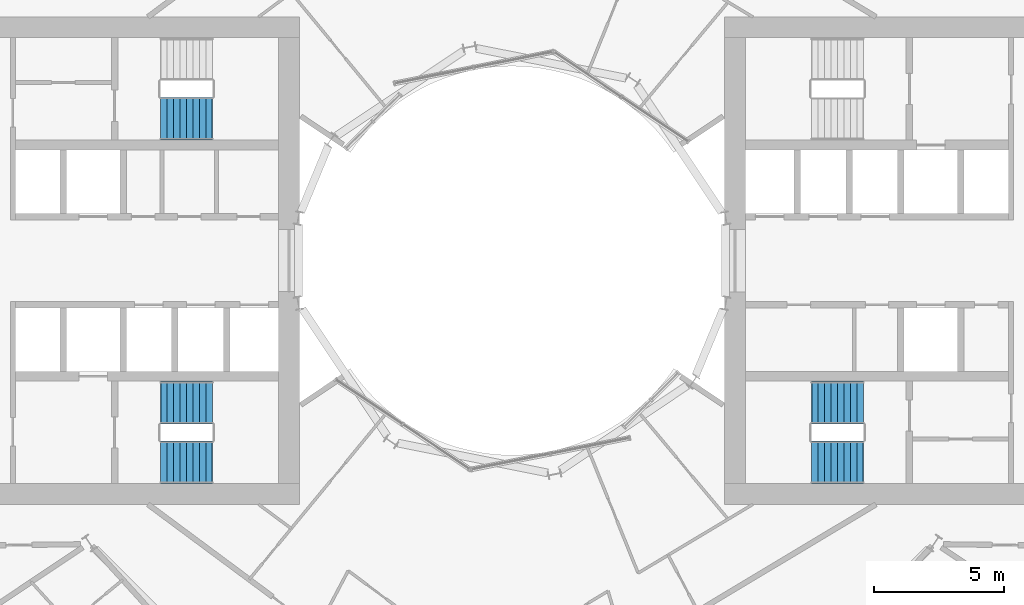
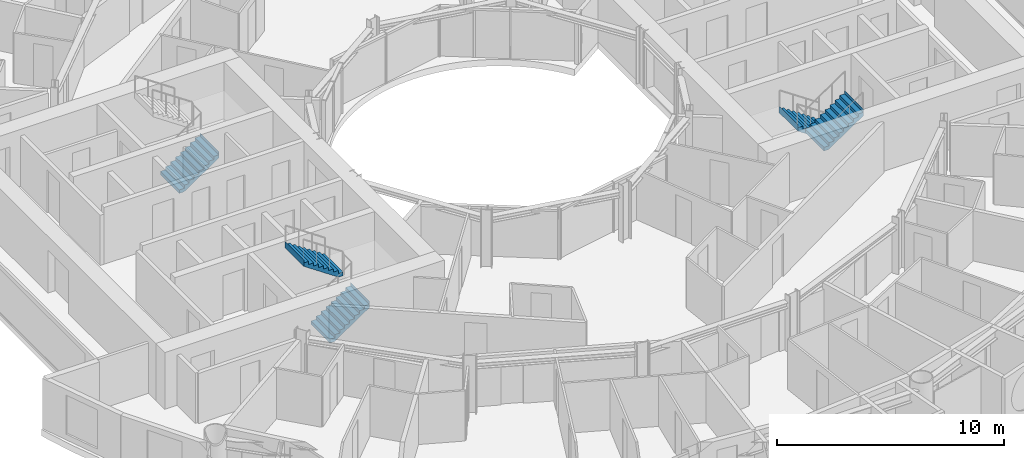
# One storey, part 23 of 26: 5 stair flights, 3 elements without a shape of their own.
"""IFC4 building model written with IfcOpenShell, lengths in metres."""

from ifc_helpers import new_model, si_unit, direction, frame, origin, place, context, subcontext, project, spatial, triangles, material, type_object, element, aggregate, save


model = new_model("IFC4")

# Units and contexts
model_context = context("Model", 3, precision=1e-05, world=origin(), true_north=direction((0.0, 1.0)))
body_context = subcontext(model_context, "Body", "Model", "MODEL_VIEW")
ifc_project = project(units=[si_unit("LENGTHUNIT", "METRE"), si_unit("AREAUNIT", "SQUARE_METRE"), si_unit("VOLUMEUNIT", "CUBIC_METRE"), si_unit("PLANEANGLEUNIT", "RADIAN"), si_unit("MASSUNIT", "GRAM", prefix="KILO")], contexts=[model_context])

# Site, building, storey
site_placement = place(None, origin())
site = spatial("IfcSite", under=ifc_project, at=site_placement, CompositionType="ELEMENT")
building_placement = place(site_placement, origin())
building = spatial("IfcBuilding", under=site, at=building_placement, Name="Maasbend Ring Residences", CompositionType="ELEMENT")
storey_placement = place(building_placement, frame((0.0, 0.0, 50.25)))
storey = spatial("IfcBuildingStorey", under=building, at=storey_placement, Name="L14", CompositionType="ELEMENT", Elevation=50.25)

# Stair, stair flights
ifc_material_1 = material(Name="Concrete C40/50", Category="concrete")
stair_type = type_object("IfcStairType", Name="CORE STAIR 18 RISERS", PredefinedType="HALF_TURN_STAIR", material=ifc_material_1)
stair_1_placement = place(storey_placement, origin())
stair_1 = element("IfcStair", 1, at=stair_1_placement, inside=storey, type_object=stair_type, Name="L14 Exit stair ST-E2", PredefinedType="HALF_TURN_STAIR")
ifc_material_2 = material(Name="Concrete C40/50", Category="concrete")
stair_flight_type = type_object("IfcStairFlightType", Name="CORE STAIR FLIGHT 1650", PredefinedType="STRAIGHT", material=ifc_material_2)
stair_flight_1_placement = place(storey_placement, frame((13.550048828125, -5.47509765625, 0.0), z_axis=(0.0, 0.0, 1.0), x_axis=(-1.0, 0.0, 0.0)))
stair_flight_1 = element("IfcStairFlight", 2, at=stair_flight_1_placement, type_object=stair_flight_type, Name="ST-E2 flight 1", NumberOfRisers=9, NumberOfTreads=8, PredefinedType="STRAIGHT", RiserHeight=0.169444444, TreadLength=0.25, context=body_context, shape_type="Tessellation", body=[
    triangles([(0.24072265625, 0.824951171875, -0.02001953125), (2.0029296875, 0.824951171875, 1.174560546875), (2.0029296875, 0.824951171875, 1.52490234375), (1.989990234375, 0.824951171875, 1.35546875), (1.75, 0.824951171875, 1.35546875), (1.75, 0.824951171875, 1.18603515625), (1.5, 0.824951171875, 1.18603515625), (1.5, 0.824951171875, 1.0166015625), (1.25, 0.824951171875, 1.0166015625), (1.25, 0.824951171875, 0.84716796875), (1.0, 0.824951171875, 0.84716796875), (1.0, 0.824951171875, 0.677734375), (0.75, 0.824951171875, 0.677734375), (0.75, 0.824951171875, 0.50830078125), (0.5, 0.824951171875, 0.50830078125), (0.5, 0.824951171875, 0.3388671875), (0.25, 0.824951171875, 0.3388671875), (0.25, 0.824951171875, 0.16943359375), (0.0, 0.824951171875, 0.16943359375), (0.0, 0.824951171875, 0.0), (-0.0029296875, 0.824951171875, 0.0), (-0.0029296875, 0.824951171875, -0.02001953125), (0.24072265625, 0.27490234375, -0.02001953125), (2.0029296875, 0.27490234375, 1.174560546875), (2.0029296875, 0.27490234375, 1.52490234375), (1.989990234375, 0.27490234375, 1.35546875), (1.75, 0.27490234375, 1.35546875), (1.75, 0.27490234375, 1.18603515625), (1.5, 0.27490234375, 1.18603515625), (1.5, 0.27490234375, 1.0166015625), (1.25, 0.27490234375, 1.0166015625), (1.25, 0.27490234375, 0.84716796875), (1.0, 0.27490234375, 0.84716796875), (1.0, 0.27490234375, 0.677734375), (0.75, 0.27490234375, 0.677734375), (0.75, 0.27490234375, 0.50830078125), (0.5, 0.27490234375, 0.50830078125), (0.5, 0.27490234375, 0.3388671875), (0.25, 0.27490234375, 0.3388671875), (0.25, 0.27490234375, 0.16943359375), (0.0, 0.27490234375, 0.16943359375), (0.0, 0.27490234375, 0.0), (-0.0029296875, 0.27490234375, 0.0), (-0.0029296875, 0.27490234375, -0.02001953125), (0.24072265625, -0.27490234375, -0.02001953125), (2.0029296875, -0.27490234375, 1.174560546875), (2.0029296875, -0.27490234375, 1.52490234375), (1.989990234375, -0.27490234375, 1.35546875), (1.75, -0.27490234375, 1.35546875), (1.75, -0.27490234375, 1.18603515625), (1.5, -0.27490234375, 1.18603515625), (1.5, -0.27490234375, 1.0166015625), (1.25, -0.27490234375, 1.0166015625), (1.25, -0.27490234375, 0.84716796875), (1.0, -0.27490234375, 0.84716796875), (1.0, -0.27490234375, 0.677734375), (0.75, -0.27490234375, 0.677734375), (0.75, -0.27490234375, 0.50830078125), (0.5, -0.27490234375, 0.50830078125), (0.5, -0.27490234375, 0.3388671875), (0.25, -0.27490234375, 0.3388671875), (0.25, -0.27490234375, 0.16943359375), (0.0, -0.27490234375, 0.16943359375), (0.0, -0.27490234375, 0.0), (-0.0029296875, -0.27490234375, 0.0), (-0.0029296875, -0.27490234375, -0.02001953125), (0.24072265625, -0.824951171875, -0.02001953125), (2.0029296875, -0.824951171875, 1.174560546875), (2.0029296875, -0.824951171875, 1.52490234375), (1.989990234375, -0.824951171875, 1.35546875), (1.75, -0.824951171875, 1.35546875), (1.75, -0.824951171875, 1.18603515625), (1.5, -0.824951171875, 1.18603515625), (1.5, -0.824951171875, 1.0166015625), (1.25, -0.824951171875, 1.0166015625), (1.25, -0.824951171875, 0.84716796875), (1.0, -0.824951171875, 0.84716796875), (1.0, -0.824951171875, 0.677734375), (0.75, -0.824951171875, 0.677734375), (0.75, -0.824951171875, 0.50830078125), (0.5, -0.824951171875, 0.50830078125), (0.5, -0.824951171875, 0.3388671875), (0.25, -0.824951171875, 0.3388671875), (0.25, -0.824951171875, 0.16943359375), (0.0, -0.824951171875, 0.16943359375), (0.0, -0.824951171875, 0.0), (-0.0029296875, -0.824951171875, 0.0), (-0.0029296875, -0.824951171875, -0.02001953125)], [[1, 2, 24], [1, 24, 23], [23, 24, 46], [23, 46, 45], [45, 46, 68], [45, 68, 67], [2, 3, 25], [2, 25, 24], [24, 25, 47], [24, 47, 46], [46, 47, 69], [46, 69, 68], [3, 4, 26], [3, 26, 25], [25, 26, 48], [25, 48, 47], [47, 48, 70], [47, 70, 69], [4, 5, 27], [4, 27, 26], [26, 27, 49], [26, 49, 48], [48, 49, 71], [48, 71, 70], [5, 6, 28], [5, 28, 27], [27, 28, 50], [27, 50, 49], [49, 50, 72], [49, 72, 71], [6, 7, 29], [6, 29, 28], [28, 29, 51], [28, 51, 50], [50, 51, 73], [50, 73, 72], [7, 8, 30], [7, 30, 29], [29, 30, 52], [29, 52, 51], [51, 52, 74], [51, 74, 73], [8, 9, 31], [8, 31, 30], [30, 31, 53], [30, 53, 52], [52, 53, 75], [52, 75, 74], [9, 10, 32], [9, 32, 31], [31, 32, 54], [31, 54, 53], [53, 54, 76], [53, 76, 75], [10, 11, 33], [10, 33, 32], [32, 33, 55], [32, 55, 54], [54, 55, 77], [54, 77, 76], [11, 12, 34], [11, 34, 33], [33, 34, 56], [33, 56, 55], [55, 56, 78], [55, 78, 77], [12, 13, 35], [12, 35, 34], [34, 35, 57], [34, 57, 56], [56, 57, 79], [56, 79, 78], [13, 14, 36], [13, 36, 35], [35, 36, 58], [35, 58, 57], [57, 58, 80], [57, 80, 79], [14, 15, 37], [14, 37, 36], [36, 37, 59], [36, 59, 58], [58, 59, 81], [58, 81, 80], [15, 16, 38], [15, 38, 37], [37, 38, 60], [37, 60, 59], [59, 60, 82], [59, 82, 81], [16, 17, 39], [16, 39, 38], [38, 39, 61], [38, 61, 60], [60, 61, 83], [60, 83, 82], [17, 18, 40], [17, 40, 39], [39, 40, 62], [39, 62, 61], [61, 62, 84], [61, 84, 83], [18, 19, 41], [18, 41, 40], [40, 41, 63], [40, 63, 62], [62, 63, 85], [62, 85, 84], [19, 20, 42], [19, 42, 41], [41, 42, 64], [41, 64, 63], [63, 64, 86], [63, 86, 85], [20, 21, 43], [20, 43, 42], [42, 43, 65], [42, 65, 64], [64, 65, 87], [64, 87, 86], [21, 22, 44], [21, 44, 43], [43, 44, 66], [43, 66, 65], [65, 66, 88], [65, 88, 87], [22, 1, 23], [22, 23, 44], [44, 23, 45], [44, 45, 66], [66, 45, 67], [66, 67, 88], [22, 2, 1], [2, 4, 3], [2, 5, 4], [2, 6, 5], [22, 6, 2], [6, 8, 7], [22, 8, 6], [8, 10, 9], [22, 10, 8], [10, 12, 11], [22, 12, 10], [12, 14, 13], [22, 14, 12], [14, 16, 15], [22, 16, 14], [16, 18, 17], [22, 18, 16], [18, 20, 19], [22, 20, 18], [20, 22, 21], [88, 67, 68], [68, 69, 70], [68, 70, 71], [68, 71, 72], [88, 68, 72], [72, 73, 74], [88, 72, 74], [74, 75, 76], [88, 74, 76], [76, 77, 78], [88, 76, 78], [78, 79, 80], [88, 78, 80], [80, 81, 82], [88, 80, 82], [82, 83, 84], [88, 82, 84], [84, 85, 86], [88, 84, 86], [86, 87, 88]], closed=True),
])
stair_flight_2_placement = place(storey_placement, frame((11.550048828125, -7.77490234375, 1.52490234375), z_axis=(0.0, 0.0, 1.0), x_axis=(1.0, 0.0, 0.0)))
stair_flight_2 = element("IfcStairFlight", 3, at=stair_flight_2_placement, type_object=stair_flight_type, Name="ST-E2 flight 2", NumberOfRisers=9, NumberOfTreads=8, PredefinedType="STRAIGHT", RiserHeight=0.169444444, TreadLength=0.25, context=body_context, shape_type="Tessellation", body=[
    triangles([(0.24072265625, 0.824951171875, -0.02001953125), (2.0029296875, 0.824951171875, 1.174560546875), (2.0029296875, 0.824951171875, 1.52490234375), (1.989990234375, 0.824951171875, 1.35546875), (1.75, 0.824951171875, 1.35546875), (1.75, 0.824951171875, 1.18603515625), (1.5, 0.824951171875, 1.18603515625), (1.5, 0.824951171875, 1.0166015625), (1.25, 0.824951171875, 1.0166015625), (1.25, 0.824951171875, 0.84716796875), (1.0, 0.824951171875, 0.84716796875), (1.0, 0.824951171875, 0.677734375), (0.75, 0.824951171875, 0.677734375), (0.75, 0.824951171875, 0.50830078125), (0.5, 0.824951171875, 0.50830078125), (0.5, 0.824951171875, 0.3388671875), (0.25, 0.824951171875, 0.3388671875), (0.25, 0.824951171875, 0.16943359375), (0.0, 0.824951171875, 0.16943359375), (0.0, 0.824951171875, 0.0), (-0.0029296875, 0.824951171875, 0.0), (-0.0029296875, 0.824951171875, -0.02001953125), (0.24072265625, 0.27490234375, -0.02001953125), (2.0029296875, 0.27490234375, 1.174560546875), (2.0029296875, 0.27490234375, 1.52490234375), (1.989990234375, 0.27490234375, 1.35546875), (1.75, 0.27490234375, 1.35546875), (1.75, 0.27490234375, 1.18603515625), (1.5, 0.27490234375, 1.18603515625), (1.5, 0.27490234375, 1.0166015625), (1.25, 0.27490234375, 1.0166015625), (1.25, 0.27490234375, 0.84716796875), (1.0, 0.27490234375, 0.84716796875), (1.0, 0.27490234375, 0.677734375), (0.75, 0.27490234375, 0.677734375), (0.75, 0.27490234375, 0.50830078125), (0.5, 0.27490234375, 0.50830078125), (0.5, 0.27490234375, 0.3388671875), (0.25, 0.27490234375, 0.3388671875), (0.25, 0.27490234375, 0.16943359375), (0.0, 0.27490234375, 0.16943359375), (0.0, 0.27490234375, 0.0), (-0.0029296875, 0.27490234375, 0.0), (-0.0029296875, 0.27490234375, -0.02001953125), (0.24072265625, -0.27490234375, -0.02001953125), (2.0029296875, -0.27490234375, 1.174560546875), (2.0029296875, -0.27490234375, 1.52490234375), (1.989990234375, -0.27490234375, 1.35546875), (1.75, -0.27490234375, 1.35546875), (1.75, -0.27490234375, 1.18603515625), (1.5, -0.27490234375, 1.18603515625), (1.5, -0.27490234375, 1.0166015625), (1.25, -0.27490234375, 1.0166015625), (1.25, -0.27490234375, 0.84716796875), (1.0, -0.27490234375, 0.84716796875), (1.0, -0.27490234375, 0.677734375), (0.75, -0.27490234375, 0.677734375), (0.75, -0.27490234375, 0.50830078125), (0.5, -0.27490234375, 0.50830078125), (0.5, -0.27490234375, 0.3388671875), (0.25, -0.27490234375, 0.3388671875), (0.25, -0.27490234375, 0.16943359375), (0.0, -0.27490234375, 0.16943359375), (0.0, -0.27490234375, 0.0), (-0.0029296875, -0.27490234375, 0.0), (-0.0029296875, -0.27490234375, -0.02001953125), (0.24072265625, -0.824951171875, -0.02001953125), (2.0029296875, -0.824951171875, 1.174560546875), (2.0029296875, -0.824951171875, 1.52490234375), (1.989990234375, -0.824951171875, 1.35546875), (1.75, -0.824951171875, 1.35546875), (1.75, -0.824951171875, 1.18603515625), (1.5, -0.824951171875, 1.18603515625), (1.5, -0.824951171875, 1.0166015625), (1.25, -0.824951171875, 1.0166015625), (1.25, -0.824951171875, 0.84716796875), (1.0, -0.824951171875, 0.84716796875), (1.0, -0.824951171875, 0.677734375), (0.75, -0.824951171875, 0.677734375), (0.75, -0.824951171875, 0.50830078125), (0.5, -0.824951171875, 0.50830078125), (0.5, -0.824951171875, 0.3388671875), (0.25, -0.824951171875, 0.3388671875), (0.25, -0.824951171875, 0.16943359375), (0.0, -0.824951171875, 0.16943359375), (0.0, -0.824951171875, 0.0), (-0.0029296875, -0.824951171875, 0.0), (-0.0029296875, -0.824951171875, -0.02001953125)], [[1, 2, 24], [1, 24, 23], [23, 24, 46], [23, 46, 45], [45, 46, 68], [45, 68, 67], [2, 3, 25], [2, 25, 24], [24, 25, 47], [24, 47, 46], [46, 47, 69], [46, 69, 68], [3, 4, 26], [3, 26, 25], [25, 26, 48], [25, 48, 47], [47, 48, 70], [47, 70, 69], [4, 5, 27], [4, 27, 26], [26, 27, 49], [26, 49, 48], [48, 49, 71], [48, 71, 70], [5, 6, 28], [5, 28, 27], [27, 28, 50], [27, 50, 49], [49, 50, 72], [49, 72, 71], [6, 7, 29], [6, 29, 28], [28, 29, 51], [28, 51, 50], [50, 51, 73], [50, 73, 72], [7, 8, 30], [7, 30, 29], [29, 30, 52], [29, 52, 51], [51, 52, 74], [51, 74, 73], [8, 9, 31], [8, 31, 30], [30, 31, 53], [30, 53, 52], [52, 53, 75], [52, 75, 74], [9, 10, 32], [9, 32, 31], [31, 32, 54], [31, 54, 53], [53, 54, 76], [53, 76, 75], [10, 11, 33], [10, 33, 32], [32, 33, 55], [32, 55, 54], [54, 55, 77], [54, 77, 76], [11, 12, 34], [11, 34, 33], [33, 34, 56], [33, 56, 55], [55, 56, 78], [55, 78, 77], [12, 13, 35], [12, 35, 34], [34, 35, 57], [34, 57, 56], [56, 57, 79], [56, 79, 78], [13, 14, 36], [13, 36, 35], [35, 36, 58], [35, 58, 57], [57, 58, 80], [57, 80, 79], [14, 15, 37], [14, 37, 36], [36, 37, 59], [36, 59, 58], [58, 59, 81], [58, 81, 80], [15, 16, 38], [15, 38, 37], [37, 38, 60], [37, 60, 59], [59, 60, 82], [59, 82, 81], [16, 17, 39], [16, 39, 38], [38, 39, 61], [38, 61, 60], [60, 61, 83], [60, 83, 82], [17, 18, 40], [17, 40, 39], [39, 40, 62], [39, 62, 61], [61, 62, 84], [61, 84, 83], [18, 19, 41], [18, 41, 40], [40, 41, 63], [40, 63, 62], [62, 63, 85], [62, 85, 84], [19, 20, 42], [19, 42, 41], [41, 42, 64], [41, 64, 63], [63, 64, 86], [63, 86, 85], [20, 21, 43], [20, 43, 42], [42, 43, 65], [42, 65, 64], [64, 65, 87], [64, 87, 86], [21, 22, 44], [21, 44, 43], [43, 44, 66], [43, 66, 65], [65, 66, 88], [65, 88, 87], [22, 1, 23], [22, 23, 44], [44, 23, 45], [44, 45, 66], [66, 45, 67], [66, 67, 88], [22, 2, 1], [2, 4, 3], [2, 5, 4], [2, 6, 5], [22, 6, 2], [6, 8, 7], [22, 8, 6], [8, 10, 9], [22, 10, 8], [10, 12, 11], [22, 12, 10], [12, 14, 13], [22, 14, 12], [14, 16, 15], [22, 16, 14], [16, 18, 17], [22, 18, 16], [18, 20, 19], [22, 20, 18], [20, 22, 21], [88, 67, 68], [68, 69, 70], [68, 70, 71], [68, 71, 72], [88, 68, 72], [72, 73, 74], [88, 72, 74], [74, 75, 76], [88, 74, 76], [76, 77, 78], [88, 76, 78], [78, 79, 80], [88, 78, 80], [80, 81, 82], [88, 80, 82], [82, 83, 84], [88, 82, 84], [84, 85, 86], [88, 84, 86], [86, 87, 88]], closed=True),
])
aggregate(stair_1, [stair_flight_1, stair_flight_2])

stair_2_placement = place(storey_placement, origin())
stair_2 = element("IfcStair", 4, at=stair_2_placement, inside=storey, type_object=stair_type, Name="L14 Exit stair ST-W1", PredefinedType="HALF_TURN_STAIR")
stair_flight_3_placement = place(storey_placement, frame((-13.550048828125, -7.77490234375, 0.0), z_axis=(0.0, 0.0, 1.0), x_axis=(1.0, 0.0, 0.0)))
stair_flight_3 = element("IfcStairFlight", 5, at=stair_flight_3_placement, type_object=stair_flight_type, Name="ST-W1 flight 1", NumberOfRisers=9, NumberOfTreads=8, PredefinedType="STRAIGHT", RiserHeight=0.169444444, TreadLength=0.25, context=body_context, shape_type="Tessellation", body=[
    triangles([(0.24072265625, 0.824951171875, -0.02001953125), (2.0029296875, 0.824951171875, 1.174560546875), (2.0029296875, 0.824951171875, 1.52490234375), (1.989990234375, 0.824951171875, 1.35546875), (1.75, 0.824951171875, 1.35546875), (1.75, 0.824951171875, 1.18603515625), (1.5, 0.824951171875, 1.18603515625), (1.5, 0.824951171875, 1.0166015625), (1.25, 0.824951171875, 1.0166015625), (1.25, 0.824951171875, 0.84716796875), (1.0, 0.824951171875, 0.84716796875), (1.0, 0.824951171875, 0.677734375), (0.75, 0.824951171875, 0.677734375), (0.75, 0.824951171875, 0.50830078125), (0.5, 0.824951171875, 0.50830078125), (0.5, 0.824951171875, 0.3388671875), (0.25, 0.824951171875, 0.3388671875), (0.25, 0.824951171875, 0.16943359375), (0.0, 0.824951171875, 0.16943359375), (0.0, 0.824951171875, 0.0), (-0.0029296875, 0.824951171875, 0.0), (-0.0029296875, 0.824951171875, -0.02001953125), (0.24072265625, 0.27490234375, -0.02001953125), (2.0029296875, 0.27490234375, 1.174560546875), (2.0029296875, 0.27490234375, 1.52490234375), (1.989990234375, 0.27490234375, 1.35546875), (1.75, 0.27490234375, 1.35546875), (1.75, 0.27490234375, 1.18603515625), (1.5, 0.27490234375, 1.18603515625), (1.5, 0.27490234375, 1.0166015625), (1.25, 0.27490234375, 1.0166015625), (1.25, 0.27490234375, 0.84716796875), (1.0, 0.27490234375, 0.84716796875), (1.0, 0.27490234375, 0.677734375), (0.75, 0.27490234375, 0.677734375), (0.75, 0.27490234375, 0.50830078125), (0.5, 0.27490234375, 0.50830078125), (0.5, 0.27490234375, 0.3388671875), (0.25, 0.27490234375, 0.3388671875), (0.25, 0.27490234375, 0.16943359375), (0.0, 0.27490234375, 0.16943359375), (0.0, 0.27490234375, 0.0), (-0.0029296875, 0.27490234375, 0.0), (-0.0029296875, 0.27490234375, -0.02001953125), (0.24072265625, -0.27490234375, -0.02001953125), (2.0029296875, -0.27490234375, 1.174560546875), (2.0029296875, -0.27490234375, 1.52490234375), (1.989990234375, -0.27490234375, 1.35546875), (1.75, -0.27490234375, 1.35546875), (1.75, -0.27490234375, 1.18603515625), (1.5, -0.27490234375, 1.18603515625), (1.5, -0.27490234375, 1.0166015625), (1.25, -0.27490234375, 1.0166015625), (1.25, -0.27490234375, 0.84716796875), (1.0, -0.27490234375, 0.84716796875), (1.0, -0.27490234375, 0.677734375), (0.75, -0.27490234375, 0.677734375), (0.75, -0.27490234375, 0.50830078125), (0.5, -0.27490234375, 0.50830078125), (0.5, -0.27490234375, 0.3388671875), (0.25, -0.27490234375, 0.3388671875), (0.25, -0.27490234375, 0.16943359375), (0.0, -0.27490234375, 0.16943359375), (0.0, -0.27490234375, 0.0), (-0.0029296875, -0.27490234375, 0.0), (-0.0029296875, -0.27490234375, -0.02001953125), (0.24072265625, -0.824951171875, -0.02001953125), (2.0029296875, -0.824951171875, 1.174560546875), (2.0029296875, -0.824951171875, 1.52490234375), (1.989990234375, -0.824951171875, 1.35546875), (1.75, -0.824951171875, 1.35546875), (1.75, -0.824951171875, 1.18603515625), (1.5, -0.824951171875, 1.18603515625), (1.5, -0.824951171875, 1.0166015625), (1.25, -0.824951171875, 1.0166015625), (1.25, -0.824951171875, 0.84716796875), (1.0, -0.824951171875, 0.84716796875), (1.0, -0.824951171875, 0.677734375), (0.75, -0.824951171875, 0.677734375), (0.75, -0.824951171875, 0.50830078125), (0.5, -0.824951171875, 0.50830078125), (0.5, -0.824951171875, 0.3388671875), (0.25, -0.824951171875, 0.3388671875), (0.25, -0.824951171875, 0.16943359375), (0.0, -0.824951171875, 0.16943359375), (0.0, -0.824951171875, 0.0), (-0.0029296875, -0.824951171875, 0.0), (-0.0029296875, -0.824951171875, -0.02001953125)], [[1, 2, 24], [1, 24, 23], [23, 24, 46], [23, 46, 45], [45, 46, 68], [45, 68, 67], [2, 3, 25], [2, 25, 24], [24, 25, 47], [24, 47, 46], [46, 47, 69], [46, 69, 68], [3, 4, 26], [3, 26, 25], [25, 26, 48], [25, 48, 47], [47, 48, 70], [47, 70, 69], [4, 5, 27], [4, 27, 26], [26, 27, 49], [26, 49, 48], [48, 49, 71], [48, 71, 70], [5, 6, 28], [5, 28, 27], [27, 28, 50], [27, 50, 49], [49, 50, 72], [49, 72, 71], [6, 7, 29], [6, 29, 28], [28, 29, 51], [28, 51, 50], [50, 51, 73], [50, 73, 72], [7, 8, 30], [7, 30, 29], [29, 30, 52], [29, 52, 51], [51, 52, 74], [51, 74, 73], [8, 9, 31], [8, 31, 30], [30, 31, 53], [30, 53, 52], [52, 53, 75], [52, 75, 74], [9, 10, 32], [9, 32, 31], [31, 32, 54], [31, 54, 53], [53, 54, 76], [53, 76, 75], [10, 11, 33], [10, 33, 32], [32, 33, 55], [32, 55, 54], [54, 55, 77], [54, 77, 76], [11, 12, 34], [11, 34, 33], [33, 34, 56], [33, 56, 55], [55, 56, 78], [55, 78, 77], [12, 13, 35], [12, 35, 34], [34, 35, 57], [34, 57, 56], [56, 57, 79], [56, 79, 78], [13, 14, 36], [13, 36, 35], [35, 36, 58], [35, 58, 57], [57, 58, 80], [57, 80, 79], [14, 15, 37], [14, 37, 36], [36, 37, 59], [36, 59, 58], [58, 59, 81], [58, 81, 80], [15, 16, 38], [15, 38, 37], [37, 38, 60], [37, 60, 59], [59, 60, 82], [59, 82, 81], [16, 17, 39], [16, 39, 38], [38, 39, 61], [38, 61, 60], [60, 61, 83], [60, 83, 82], [17, 18, 40], [17, 40, 39], [39, 40, 62], [39, 62, 61], [61, 62, 84], [61, 84, 83], [18, 19, 41], [18, 41, 40], [40, 41, 63], [40, 63, 62], [62, 63, 85], [62, 85, 84], [19, 20, 42], [19, 42, 41], [41, 42, 64], [41, 64, 63], [63, 64, 86], [63, 86, 85], [20, 21, 43], [20, 43, 42], [42, 43, 65], [42, 65, 64], [64, 65, 87], [64, 87, 86], [21, 22, 44], [21, 44, 43], [43, 44, 66], [43, 66, 65], [65, 66, 88], [65, 88, 87], [22, 1, 23], [22, 23, 44], [44, 23, 45], [44, 45, 66], [66, 45, 67], [66, 67, 88], [22, 2, 1], [2, 4, 3], [2, 5, 4], [2, 6, 5], [22, 6, 2], [6, 8, 7], [22, 8, 6], [8, 10, 9], [22, 10, 8], [10, 12, 11], [22, 12, 10], [12, 14, 13], [22, 14, 12], [14, 16, 15], [22, 16, 14], [16, 18, 17], [22, 18, 16], [18, 20, 19], [22, 20, 18], [20, 22, 21], [88, 67, 68], [68, 69, 70], [68, 70, 71], [68, 71, 72], [88, 68, 72], [72, 73, 74], [88, 72, 74], [74, 75, 76], [88, 74, 76], [76, 77, 78], [88, 76, 78], [78, 79, 80], [88, 78, 80], [80, 81, 82], [88, 80, 82], [82, 83, 84], [88, 82, 84], [84, 85, 86], [88, 84, 86], [86, 87, 88]], closed=True),
])
stair_flight_4_placement = place(storey_placement, frame((-11.550048828125, -5.47509765625, 1.52490234375), z_axis=(0.0, 0.0, 1.0), x_axis=(-1.0, 0.0, 0.0)))
stair_flight_4 = element("IfcStairFlight", 6, at=stair_flight_4_placement, type_object=stair_flight_type, Name="ST-W1 flight 2", NumberOfRisers=9, NumberOfTreads=8, PredefinedType="STRAIGHT", RiserHeight=0.169444444, TreadLength=0.25, context=body_context, shape_type="Tessellation", body=[
    triangles([(0.24072265625, 0.824951171875, -0.02001953125), (2.0029296875, 0.824951171875, 1.174560546875), (2.0029296875, 0.824951171875, 1.52490234375), (1.989990234375, 0.824951171875, 1.35546875), (1.75, 0.824951171875, 1.35546875), (1.75, 0.824951171875, 1.18603515625), (1.5, 0.824951171875, 1.18603515625), (1.5, 0.824951171875, 1.0166015625), (1.25, 0.824951171875, 1.0166015625), (1.25, 0.824951171875, 0.84716796875), (1.0, 0.824951171875, 0.84716796875), (1.0, 0.824951171875, 0.677734375), (0.75, 0.824951171875, 0.677734375), (0.75, 0.824951171875, 0.50830078125), (0.5, 0.824951171875, 0.50830078125), (0.5, 0.824951171875, 0.3388671875), (0.25, 0.824951171875, 0.3388671875), (0.25, 0.824951171875, 0.16943359375), (0.0, 0.824951171875, 0.16943359375), (0.0, 0.824951171875, 0.0), (-0.0029296875, 0.824951171875, 0.0), (-0.0029296875, 0.824951171875, -0.02001953125), (0.24072265625, 0.27490234375, -0.02001953125), (2.0029296875, 0.27490234375, 1.174560546875), (2.0029296875, 0.27490234375, 1.52490234375), (1.989990234375, 0.27490234375, 1.35546875), (1.75, 0.27490234375, 1.35546875), (1.75, 0.27490234375, 1.18603515625), (1.5, 0.27490234375, 1.18603515625), (1.5, 0.27490234375, 1.0166015625), (1.25, 0.27490234375, 1.0166015625), (1.25, 0.27490234375, 0.84716796875), (1.0, 0.27490234375, 0.84716796875), (1.0, 0.27490234375, 0.677734375), (0.75, 0.27490234375, 0.677734375), (0.75, 0.27490234375, 0.50830078125), (0.5, 0.27490234375, 0.50830078125), (0.5, 0.27490234375, 0.3388671875), (0.25, 0.27490234375, 0.3388671875), (0.25, 0.27490234375, 0.16943359375), (0.0, 0.27490234375, 0.16943359375), (0.0, 0.27490234375, 0.0), (-0.0029296875, 0.27490234375, 0.0), (-0.0029296875, 0.27490234375, -0.02001953125), (0.24072265625, -0.27490234375, -0.02001953125), (2.0029296875, -0.27490234375, 1.174560546875), (2.0029296875, -0.27490234375, 1.52490234375), (1.989990234375, -0.27490234375, 1.35546875), (1.75, -0.27490234375, 1.35546875), (1.75, -0.27490234375, 1.18603515625), (1.5, -0.27490234375, 1.18603515625), (1.5, -0.27490234375, 1.0166015625), (1.25, -0.27490234375, 1.0166015625), (1.25, -0.27490234375, 0.84716796875), (1.0, -0.27490234375, 0.84716796875), (1.0, -0.27490234375, 0.677734375), (0.75, -0.27490234375, 0.677734375), (0.75, -0.27490234375, 0.50830078125), (0.5, -0.27490234375, 0.50830078125), (0.5, -0.27490234375, 0.3388671875), (0.25, -0.27490234375, 0.3388671875), (0.25, -0.27490234375, 0.16943359375), (0.0, -0.27490234375, 0.16943359375), (0.0, -0.27490234375, 0.0), (-0.0029296875, -0.27490234375, 0.0), (-0.0029296875, -0.27490234375, -0.02001953125), (0.24072265625, -0.824951171875, -0.02001953125), (2.0029296875, -0.824951171875, 1.174560546875), (2.0029296875, -0.824951171875, 1.52490234375), (1.989990234375, -0.824951171875, 1.35546875), (1.75, -0.824951171875, 1.35546875), (1.75, -0.824951171875, 1.18603515625), (1.5, -0.824951171875, 1.18603515625), (1.5, -0.824951171875, 1.0166015625), (1.25, -0.824951171875, 1.0166015625), (1.25, -0.824951171875, 0.84716796875), (1.0, -0.824951171875, 0.84716796875), (1.0, -0.824951171875, 0.677734375), (0.75, -0.824951171875, 0.677734375), (0.75, -0.824951171875, 0.50830078125), (0.5, -0.824951171875, 0.50830078125), (0.5, -0.824951171875, 0.3388671875), (0.25, -0.824951171875, 0.3388671875), (0.25, -0.824951171875, 0.16943359375), (0.0, -0.824951171875, 0.16943359375), (0.0, -0.824951171875, 0.0), (-0.0029296875, -0.824951171875, 0.0), (-0.0029296875, -0.824951171875, -0.02001953125)], [[1, 2, 24], [1, 24, 23], [23, 24, 46], [23, 46, 45], [45, 46, 68], [45, 68, 67], [2, 3, 25], [2, 25, 24], [24, 25, 47], [24, 47, 46], [46, 47, 69], [46, 69, 68], [3, 4, 26], [3, 26, 25], [25, 26, 48], [25, 48, 47], [47, 48, 70], [47, 70, 69], [4, 5, 27], [4, 27, 26], [26, 27, 49], [26, 49, 48], [48, 49, 71], [48, 71, 70], [5, 6, 28], [5, 28, 27], [27, 28, 50], [27, 50, 49], [49, 50, 72], [49, 72, 71], [6, 7, 29], [6, 29, 28], [28, 29, 51], [28, 51, 50], [50, 51, 73], [50, 73, 72], [7, 8, 30], [7, 30, 29], [29, 30, 52], [29, 52, 51], [51, 52, 74], [51, 74, 73], [8, 9, 31], [8, 31, 30], [30, 31, 53], [30, 53, 52], [52, 53, 75], [52, 75, 74], [9, 10, 32], [9, 32, 31], [31, 32, 54], [31, 54, 53], [53, 54, 76], [53, 76, 75], [10, 11, 33], [10, 33, 32], [32, 33, 55], [32, 55, 54], [54, 55, 77], [54, 77, 76], [11, 12, 34], [11, 34, 33], [33, 34, 56], [33, 56, 55], [55, 56, 78], [55, 78, 77], [12, 13, 35], [12, 35, 34], [34, 35, 57], [34, 57, 56], [56, 57, 79], [56, 79, 78], [13, 14, 36], [13, 36, 35], [35, 36, 58], [35, 58, 57], [57, 58, 80], [57, 80, 79], [14, 15, 37], [14, 37, 36], [36, 37, 59], [36, 59, 58], [58, 59, 81], [58, 81, 80], [15, 16, 38], [15, 38, 37], [37, 38, 60], [37, 60, 59], [59, 60, 82], [59, 82, 81], [16, 17, 39], [16, 39, 38], [38, 39, 61], [38, 61, 60], [60, 61, 83], [60, 83, 82], [17, 18, 40], [17, 40, 39], [39, 40, 62], [39, 62, 61], [61, 62, 84], [61, 84, 83], [18, 19, 41], [18, 41, 40], [40, 41, 63], [40, 63, 62], [62, 63, 85], [62, 85, 84], [19, 20, 42], [19, 42, 41], [41, 42, 64], [41, 64, 63], [63, 64, 86], [63, 86, 85], [20, 21, 43], [20, 43, 42], [42, 43, 65], [42, 65, 64], [64, 65, 87], [64, 87, 86], [21, 22, 44], [21, 44, 43], [43, 44, 66], [43, 66, 65], [65, 66, 88], [65, 88, 87], [22, 1, 23], [22, 23, 44], [44, 23, 45], [44, 45, 66], [66, 45, 67], [66, 67, 88], [22, 2, 1], [2, 4, 3], [2, 5, 4], [2, 6, 5], [22, 6, 2], [6, 8, 7], [22, 8, 6], [8, 10, 9], [22, 10, 8], [10, 12, 11], [22, 12, 10], [12, 14, 13], [22, 14, 12], [14, 16, 15], [22, 16, 14], [16, 18, 17], [22, 18, 16], [18, 20, 19], [22, 20, 18], [20, 22, 21], [88, 67, 68], [68, 69, 70], [68, 70, 71], [68, 71, 72], [88, 68, 72], [72, 73, 74], [88, 72, 74], [74, 75, 76], [88, 74, 76], [76, 77, 78], [88, 76, 78], [78, 79, 80], [88, 78, 80], [80, 81, 82], [88, 80, 82], [82, 83, 84], [88, 82, 84], [84, 85, 86], [88, 84, 86], [86, 87, 88]], closed=True),
])
aggregate(stair_2, [stair_flight_3, stair_flight_4])

# Stair, stair flight
stair_3_placement = place(storey_placement, origin())
stair_3 = element("IfcStair", 7, at=stair_3_placement, inside=storey, type_object=stair_type, Name="L14 Exit stair ST-W2", PredefinedType="HALF_TURN_STAIR")
stair_flight_5_placement = place(storey_placement, frame((-13.550048828125, 5.47509765625, 0.0), z_axis=(0.0, 0.0, 1.0), x_axis=(1.0, 0.0, 0.0)))
stair_flight_5 = element("IfcStairFlight", 8, at=stair_flight_5_placement, type_object=stair_flight_type, Name="ST-W2 flight 1", NumberOfRisers=9, NumberOfTreads=8, PredefinedType="STRAIGHT", RiserHeight=0.169444444, TreadLength=0.25, context=body_context, shape_type="Tessellation", body=[
    triangles([(0.24072265625, 0.824951171875, -0.02001953125), (2.0029296875, 0.824951171875, 1.174560546875), (2.0029296875, 0.824951171875, 1.52490234375), (1.989990234375, 0.824951171875, 1.35546875), (1.75, 0.824951171875, 1.35546875), (1.75, 0.824951171875, 1.18603515625), (1.5, 0.824951171875, 1.18603515625), (1.5, 0.824951171875, 1.0166015625), (1.25, 0.824951171875, 1.0166015625), (1.25, 0.824951171875, 0.84716796875), (1.0, 0.824951171875, 0.84716796875), (1.0, 0.824951171875, 0.677734375), (0.75, 0.824951171875, 0.677734375), (0.75, 0.824951171875, 0.50830078125), (0.5, 0.824951171875, 0.50830078125), (0.5, 0.824951171875, 0.3388671875), (0.25, 0.824951171875, 0.3388671875), (0.25, 0.824951171875, 0.16943359375), (0.0, 0.824951171875, 0.16943359375), (0.0, 0.824951171875, 0.0), (-0.0029296875, 0.824951171875, 0.0), (-0.0029296875, 0.824951171875, -0.02001953125), (0.24072265625, 0.27490234375, -0.02001953125), (2.0029296875, 0.27490234375, 1.174560546875), (2.0029296875, 0.27490234375, 1.52490234375), (1.989990234375, 0.27490234375, 1.35546875), (1.75, 0.27490234375, 1.35546875), (1.75, 0.27490234375, 1.18603515625), (1.5, 0.27490234375, 1.18603515625), (1.5, 0.27490234375, 1.0166015625), (1.25, 0.27490234375, 1.0166015625), (1.25, 0.27490234375, 0.84716796875), (1.0, 0.27490234375, 0.84716796875), (1.0, 0.27490234375, 0.677734375), (0.75, 0.27490234375, 0.677734375), (0.75, 0.27490234375, 0.50830078125), (0.5, 0.27490234375, 0.50830078125), (0.5, 0.27490234375, 0.3388671875), (0.25, 0.27490234375, 0.3388671875), (0.25, 0.27490234375, 0.16943359375), (0.0, 0.27490234375, 0.16943359375), (0.0, 0.27490234375, 0.0), (-0.0029296875, 0.27490234375, 0.0), (-0.0029296875, 0.27490234375, -0.02001953125), (0.24072265625, -0.27490234375, -0.02001953125), (2.0029296875, -0.27490234375, 1.174560546875), (2.0029296875, -0.27490234375, 1.52490234375), (1.989990234375, -0.27490234375, 1.35546875), (1.75, -0.27490234375, 1.35546875), (1.75, -0.27490234375, 1.18603515625), (1.5, -0.27490234375, 1.18603515625), (1.5, -0.27490234375, 1.0166015625), (1.25, -0.27490234375, 1.0166015625), (1.25, -0.27490234375, 0.84716796875), (1.0, -0.27490234375, 0.84716796875), (1.0, -0.27490234375, 0.677734375), (0.75, -0.27490234375, 0.677734375), (0.75, -0.27490234375, 0.50830078125), (0.5, -0.27490234375, 0.50830078125), (0.5, -0.27490234375, 0.3388671875), (0.25, -0.27490234375, 0.3388671875), (0.25, -0.27490234375, 0.16943359375), (0.0, -0.27490234375, 0.16943359375), (0.0, -0.27490234375, 0.0), (-0.0029296875, -0.27490234375, 0.0), (-0.0029296875, -0.27490234375, -0.02001953125), (0.24072265625, -0.824951171875, -0.02001953125), (2.0029296875, -0.824951171875, 1.174560546875), (2.0029296875, -0.824951171875, 1.52490234375), (1.989990234375, -0.824951171875, 1.35546875), (1.75, -0.824951171875, 1.35546875), (1.75, -0.824951171875, 1.18603515625), (1.5, -0.824951171875, 1.18603515625), (1.5, -0.824951171875, 1.0166015625), (1.25, -0.824951171875, 1.0166015625), (1.25, -0.824951171875, 0.84716796875), (1.0, -0.824951171875, 0.84716796875), (1.0, -0.824951171875, 0.677734375), (0.75, -0.824951171875, 0.677734375), (0.75, -0.824951171875, 0.50830078125), (0.5, -0.824951171875, 0.50830078125), (0.5, -0.824951171875, 0.3388671875), (0.25, -0.824951171875, 0.3388671875), (0.25, -0.824951171875, 0.16943359375), (0.0, -0.824951171875, 0.16943359375), (0.0, -0.824951171875, 0.0), (-0.0029296875, -0.824951171875, 0.0), (-0.0029296875, -0.824951171875, -0.02001953125)], [[1, 2, 24], [1, 24, 23], [23, 24, 46], [23, 46, 45], [45, 46, 68], [45, 68, 67], [2, 3, 25], [2, 25, 24], [24, 25, 47], [24, 47, 46], [46, 47, 69], [46, 69, 68], [3, 4, 26], [3, 26, 25], [25, 26, 48], [25, 48, 47], [47, 48, 70], [47, 70, 69], [4, 5, 27], [4, 27, 26], [26, 27, 49], [26, 49, 48], [48, 49, 71], [48, 71, 70], [5, 6, 28], [5, 28, 27], [27, 28, 50], [27, 50, 49], [49, 50, 72], [49, 72, 71], [6, 7, 29], [6, 29, 28], [28, 29, 51], [28, 51, 50], [50, 51, 73], [50, 73, 72], [7, 8, 30], [7, 30, 29], [29, 30, 52], [29, 52, 51], [51, 52, 74], [51, 74, 73], [8, 9, 31], [8, 31, 30], [30, 31, 53], [30, 53, 52], [52, 53, 75], [52, 75, 74], [9, 10, 32], [9, 32, 31], [31, 32, 54], [31, 54, 53], [53, 54, 76], [53, 76, 75], [10, 11, 33], [10, 33, 32], [32, 33, 55], [32, 55, 54], [54, 55, 77], [54, 77, 76], [11, 12, 34], [11, 34, 33], [33, 34, 56], [33, 56, 55], [55, 56, 78], [55, 78, 77], [12, 13, 35], [12, 35, 34], [34, 35, 57], [34, 57, 56], [56, 57, 79], [56, 79, 78], [13, 14, 36], [13, 36, 35], [35, 36, 58], [35, 58, 57], [57, 58, 80], [57, 80, 79], [14, 15, 37], [14, 37, 36], [36, 37, 59], [36, 59, 58], [58, 59, 81], [58, 81, 80], [15, 16, 38], [15, 38, 37], [37, 38, 60], [37, 60, 59], [59, 60, 82], [59, 82, 81], [16, 17, 39], [16, 39, 38], [38, 39, 61], [38, 61, 60], [60, 61, 83], [60, 83, 82], [17, 18, 40], [17, 40, 39], [39, 40, 62], [39, 62, 61], [61, 62, 84], [61, 84, 83], [18, 19, 41], [18, 41, 40], [40, 41, 63], [40, 63, 62], [62, 63, 85], [62, 85, 84], [19, 20, 42], [19, 42, 41], [41, 42, 64], [41, 64, 63], [63, 64, 86], [63, 86, 85], [20, 21, 43], [20, 43, 42], [42, 43, 65], [42, 65, 64], [64, 65, 87], [64, 87, 86], [21, 22, 44], [21, 44, 43], [43, 44, 66], [43, 66, 65], [65, 66, 88], [65, 88, 87], [22, 1, 23], [22, 23, 44], [44, 23, 45], [44, 45, 66], [66, 45, 67], [66, 67, 88], [22, 2, 1], [2, 4, 3], [2, 5, 4], [2, 6, 5], [22, 6, 2], [6, 8, 7], [22, 8, 6], [8, 10, 9], [22, 10, 8], [10, 12, 11], [22, 12, 10], [12, 14, 13], [22, 14, 12], [14, 16, 15], [22, 16, 14], [16, 18, 17], [22, 18, 16], [18, 20, 19], [22, 20, 18], [20, 22, 21], [88, 67, 68], [68, 69, 70], [68, 70, 71], [68, 71, 72], [88, 68, 72], [72, 73, 74], [88, 72, 74], [74, 75, 76], [88, 74, 76], [76, 77, 78], [88, 76, 78], [78, 79, 80], [88, 78, 80], [80, 81, 82], [88, 80, 82], [82, 83, 84], [88, 82, 84], [84, 85, 86], [88, 84, 86], [86, 87, 88]], closed=True),
])
aggregate(stair_3, [stair_flight_5])

save(model, "model.ifc")
